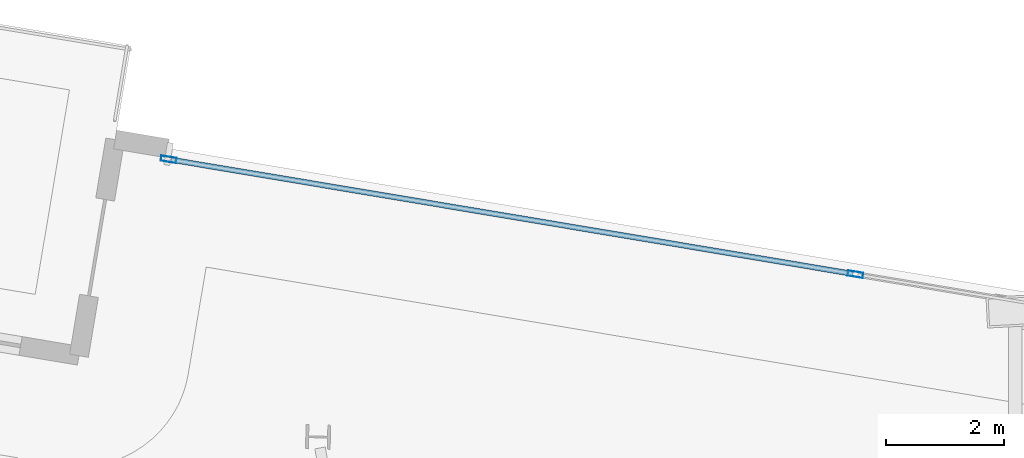
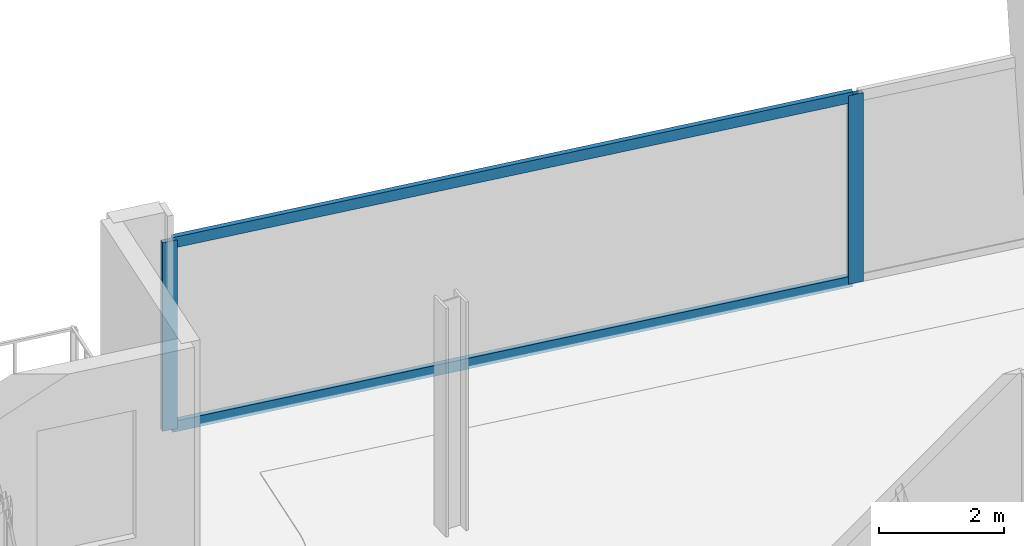
# One storey, part 10 of 18: 4 members, 1 element without a shape of its own.
"""IFC4 building model written with IfcOpenShell, lengths in metres."""

from ifc_helpers import new_model, si_unit, direction, frame, origin, origin_2d, place, context, subcontext, project, spatial, hollow_rectangle, extrude, material, material_profile, profile_set, type_object, element, aggregate, save


model = new_model("IFC4")

# Units and contexts
model_context = context("Model", 3, precision=1e-05, world=origin(), true_north=direction((0.0, 1.0)))
body_context = subcontext(model_context, "Body", "Model", "MODEL_VIEW")
ifc_project = project(units=[si_unit("LENGTHUNIT", "METRE"), si_unit("AREAUNIT", "SQUARE_METRE"), si_unit("VOLUMEUNIT", "CUBIC_METRE"), si_unit("PLANEANGLEUNIT", "RADIAN"), si_unit("MASSUNIT", "GRAM", prefix="KILO")], contexts=[model_context])

# Site, building, storey
site_placement = place(None, origin())
site = spatial("IfcSite", under=ifc_project, at=site_placement, CompositionType="ELEMENT")
building_placement = place(site_placement, origin())
building = spatial("IfcBuilding", under=site, at=building_placement, Name="Haldenkirk Collegiate Tower", CompositionType="ELEMENT")
storey_placement = place(building_placement, frame((0.0, 0.0, 298.199951171875)))
storey = spatial("IfcBuildingStorey", under=building, at=storey_placement, Name="L75", CompositionType="ELEMENT", Elevation=298.199951171875)

# Curtain wall, members
ifc_material = material(Name="Anodised architectural bronze aluminium", Category="aluminium")
curtain_wall_type = type_object("IfcCurtainWallType", Name="CW-SYS4-SKYGARDEN", PredefinedType="USERDEFINED", material=ifc_material)
curtain_wall_placement = place(storey_placement, origin())
curtain_wall = element("IfcCurtainWall", 1, at=curtain_wall_placement, inside=storey, type_object=curtain_wall_type, Name="L75 Sky-garden tall bronze curtain wall", ObjectType="UNITISED CURTAIN WALL", PredefinedType="USERDEFINED")
ifc_material_profile_1 = material_profile(ifc_material, hollow_rectangle(XDim=0.090087890625, YDim=0.260009765625, WallThickness=0.0048828125, at=origin_2d()), Name="CW-MUL-04")
ifc_profile_set_1 = profile_set([ifc_material_profile_1], Name="Anodised architectural bronze aluminium")
member_type_1 = type_object("IfcMemberType", Name="CW-MUL-04", PredefinedType="MULLION", material=ifc_profile_set_1)
member_1_placement = place(storey_placement, frame((22.28759765625, 51.0263671875, 0.0), z_axis=(0.0, 0.0, 1.0), x_axis=(0.165048518423, 0.986285448826, 0.0)))
member_1 = element("IfcMember", 2, at=member_1_placement, type_object=member_type_1, Name="CW-04 mullion 1", PredefinedType="MULLION", context=body_context, shape_type="SweptSolid", body=[
    extrude(hollow_rectangle(XDim=0.090087890625, YDim=0.260009765625, WallThickness=0.0048828125, at=origin_2d()), origin(), (0.0, 0.0, 1.0), 3.697998046875),
])
member_2_placement = place(storey_placement, frame((33.88134765625, 49.08642578125, 0.0), z_axis=(0.0, 0.0, 1.0), x_axis=(0.165048518423, 0.986285448826, 0.0)))
member_2 = element("IfcMember", 3, at=member_2_placement, type_object=member_type_1, Name="CW-04 mullion 2", PredefinedType="MULLION", context=body_context, shape_type="SweptSolid", body=[
    extrude(hollow_rectangle(XDim=0.090087890625, YDim=0.260009765625, WallThickness=0.0048828125, at=origin_2d()), origin(), (0.0, 0.0, 1.0), 3.697998046875),
])
ifc_material_profile_2 = material_profile(ifc_material, hollow_rectangle(XDim=0.090087890625, YDim=0.2099609375, WallThickness=0.0048828125, at=origin_2d()), Name="CW-TRN-04")
ifc_profile_set_2 = profile_set([ifc_material_profile_2], Name="Anodised architectural bronze aluminium")
member_type_2 = type_object("IfcMemberType", Name="CW-TRN-04", PredefinedType="USERDEFINED", material=ifc_profile_set_2)
member_3_placement = place(storey_placement, frame((22.33203125, 51.01904296875, 0.045166015625), z_axis=(0.98628510108, -0.16505059645, 0.0), x_axis=(0.16505059645, 0.98628510108, 0.0)))
member_3 = element("IfcMember", 4, at=member_3_placement, type_object=member_type_2, Name="CW-04 transom 1.1", ObjectType="TRANSOM", PredefinedType="USERDEFINED", context=body_context, shape_type="SweptSolid", body=[
    extrude(hollow_rectangle(XDim=0.090087890625, YDim=0.2099609375, WallThickness=0.0048828125, at=origin_2d()), origin(), (0.0, 0.0, 1.0), 11.664794921875),
])
member_4_placement = place(storey_placement, frame((22.33203125, 51.01904296875, 3.653076171875), z_axis=(0.98628510108, -0.16505059645, 0.0), x_axis=(0.16505059645, 0.98628510108, 0.0)))
member_4 = element("IfcMember", 5, at=member_4_placement, type_object=member_type_2, Name="CW-04 transom 1.2", ObjectType="TRANSOM", PredefinedType="USERDEFINED", context=body_context, shape_type="SweptSolid", body=[
    extrude(hollow_rectangle(XDim=0.090087890625, YDim=0.2099609375, WallThickness=0.0048828125, at=origin_2d()), origin(), (0.0, 0.0, 1.0), 11.664794921875),
])
aggregate(curtain_wall, [member_1, member_2, member_3, member_4])

save(model, "model.ifc")
